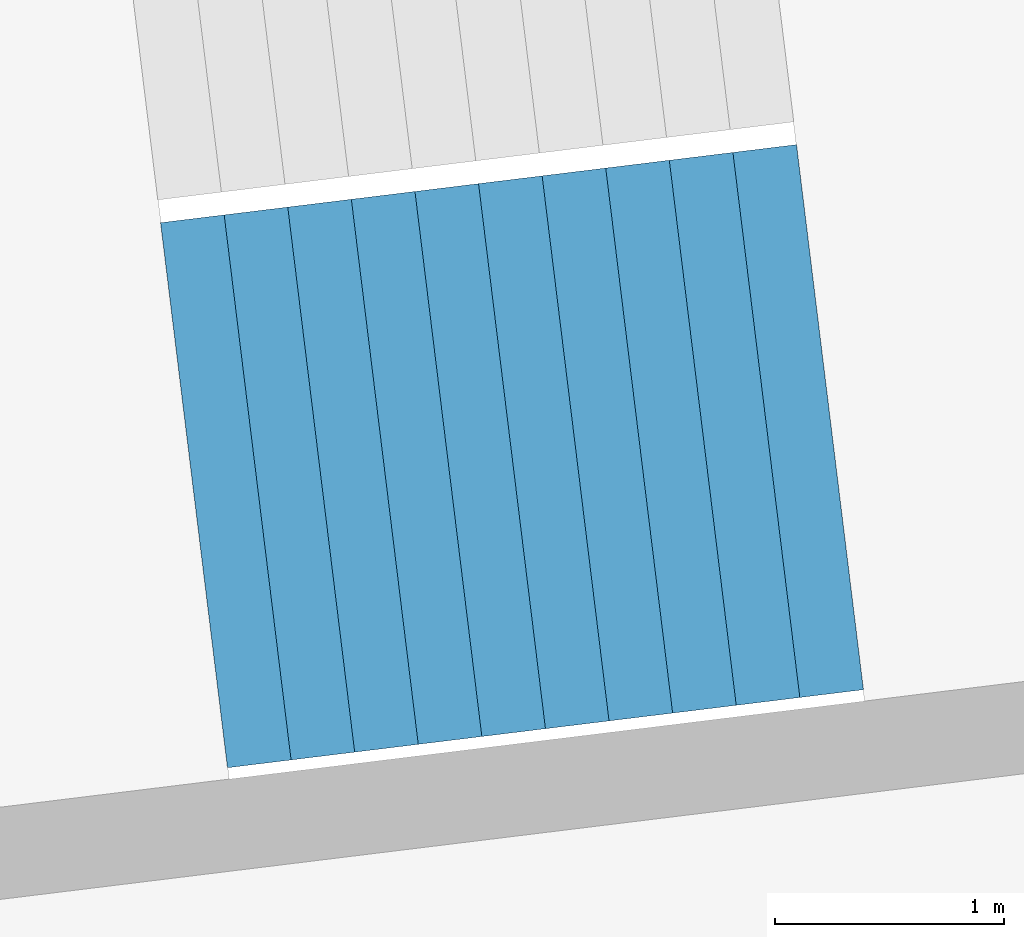
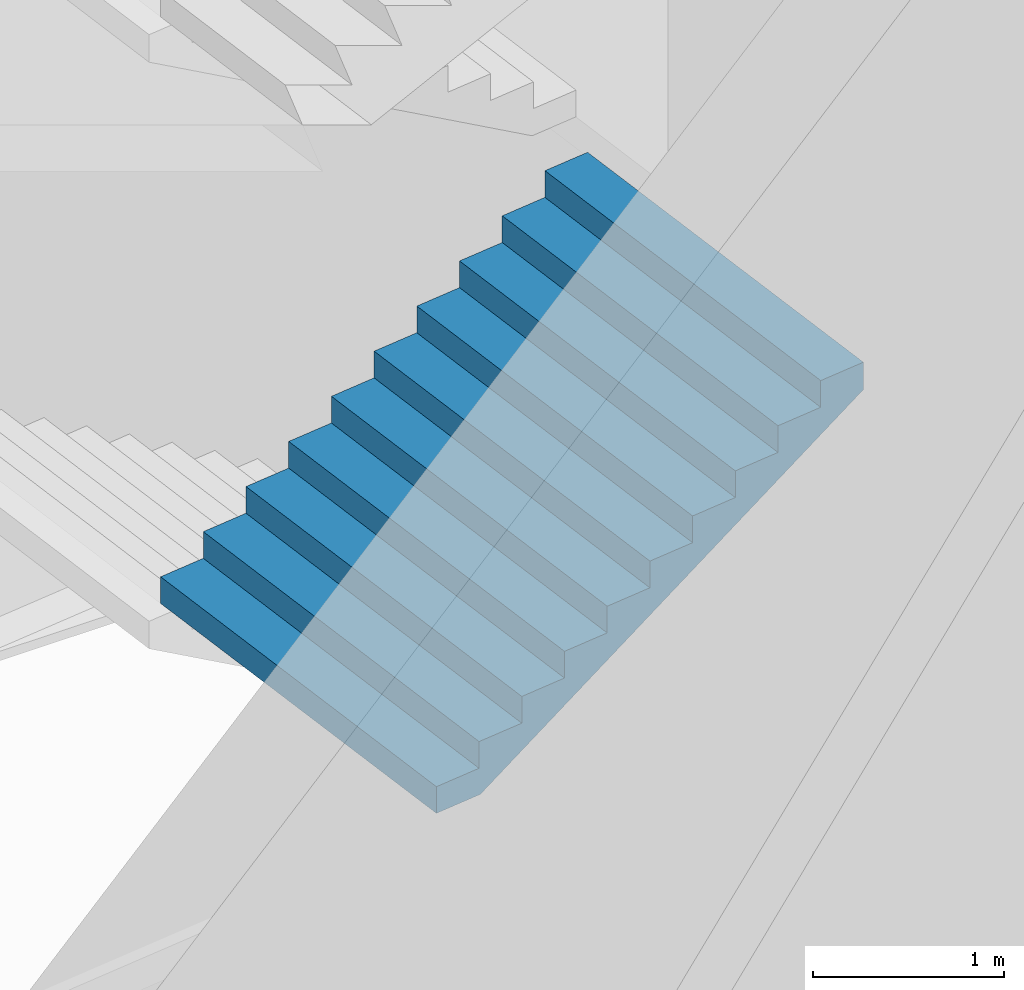
# One storey, part 22 of 73: 1 stair flight, 1 element without a shape of its own.
"""IFC4 building model written with IfcOpenShell, lengths in metres."""

import ifcopenshell
import ifcopenshell.guid

model = None  # the IFC model being written
_history = None  # IfcOwnerHistory: only IFC2X3 demands one
_inside = {}  # id of a spatial element -> (the spatial element, [elements in it])
_under = {}  # id of a project, library or spatial element -> (it, [spatial elements below it])
_declared = {}  # id of a project -> (the project, [libraries it declares])
_typed = {}  # id of a type object -> (the type object, [elements of that type])
_made_of = {}  # id of a material, layer set ... -> (it, [elements and type objects made of it])


def new_model(schema):
    """Start an empty IFC model of exactly this schema.

    Asked for "IFC4X3", IfcOpenShell would pick the latest addendum, in which some entities
    have other attributes; the version numbers below select the first issue.
    IFC2X3 requires an IfcOwnerHistory on every rooted entity: one is made here for all.
    """
    global model, _history
    if schema == "IFC4X3":
        model = ifcopenshell.file(schema_version=(4, 3, 0, 0))
    else:
        model = ifcopenshell.file(schema=schema)
    _inside.clear()
    _under.clear()
    _declared.clear()
    _typed.clear()
    _made_of.clear()
    _history = None
    if model.schema == "IFC2X3":
        org = make("IfcOrganization", Name="unknown")
        user = make(
            "IfcPersonAndOrganization",
            ThePerson=make("IfcPerson", FamilyName="unknown"),
            TheOrganization=org,
        )
        app = make(
            "IfcApplication",
            ApplicationDeveloper=org,
            Version="unknown",
            ApplicationFullName="unknown",
            ApplicationIdentifier="unknown",
        )
        _history = make(
            "IfcOwnerHistory",
            OwningUser=user,
            OwningApplication=app,
            ChangeAction="ADDED",
            CreationDate=0,
        )
    return model


def make(cls, **values):
    """One entity of the class cls with the attributes given. An attribute that is None is left unset."""
    return model.create_entity(
        cls, **{name: value for name, value in values.items() if value is not None}
    )


def rooted(cls, **values):
    """An entity with a GlobalId (a new one), such as an element, a storey or a relation."""
    return make(cls, GlobalId=ifcopenshell.guid.new(), OwnerHistory=_history, **values)


def si_unit(unit_type, name, prefix=None):
    """IfcSIUnit, for example si_unit("LENGTHUNIT", "METRE", prefix="MILLI")."""
    return make("IfcSIUnit", UnitType=unit_type, Prefix=prefix, Name=name)


def assignment(units):
    """IfcUnitAssignment: the units of a project."""
    return None if units is None else make("IfcUnitAssignment", Units=units)


def point(xyz):
    """IfcCartesianPoint."""
    return None if xyz is None else make("IfcCartesianPoint", Coordinates=xyz)


def direction(xyz):
    """IfcDirection."""
    return None if xyz is None else make("IfcDirection", DirectionRatios=xyz)


def frame(location, z_axis=None, x_axis=None):
    """IfcAxis2Placement3D, a coordinate frame: its origin and axes. An axis left out is left unset."""
    return make(
        "IfcAxis2Placement3D",
        Location=point(location),
        Axis=direction(z_axis),
        RefDirection=direction(x_axis),
    )


def origin():
    """The frame at (0, 0, 0) with its axes left unset."""
    return frame((0.0, 0.0, 0.0))


def place(relative_to, where):
    """IfcLocalPlacement: puts the frame where relative to a parent placement (None: the world)."""
    return make(
        "IfcLocalPlacement", PlacementRelTo=relative_to, RelativePlacement=where
    )


def context(
    kind, dimensions, precision=None, world=None, true_north=None, identifier=None
):
    """IfcGeometricRepresentationContext, for example the 3D "Model" context."""
    return make(
        "IfcGeometricRepresentationContext",
        ContextIdentifier=identifier,
        ContextType=kind,
        CoordinateSpaceDimension=dimensions,
        Precision=precision,
        WorldCoordinateSystem=world,
        TrueNorth=true_north,
    )


def subcontext(parent, identifier, kind, view, scale=None):
    """IfcGeometricRepresentationSubContext, for example "Body" below "Model"."""
    return make(
        "IfcGeometricRepresentationSubContext",
        ContextIdentifier=identifier,
        ContextType=kind,
        ParentContext=parent,
        TargetScale=scale,
        TargetView=view,
    )


def project(units=None, contexts=None):
    """IfcProject with its units and contexts."""
    return rooted(
        "IfcProject",
        Name="project",
        RepresentationContexts=contexts,
        UnitsInContext=assignment(units),
    )


def spatial(cls, under=None, at=None, **own):
    """A site, building, storey or space (cls), placed at a placement, below another one or the project."""
    s = rooted(cls, ObjectPlacement=at, **own)
    if under is not None:
        _under.setdefault(under.id(), (under, []))[1].append(s)
    return s


def point_list(points):
    """IfcCartesianPointList2D or 3D."""
    cls = (
        "IfcCartesianPointList2D" if len(points[0]) == 2 else "IfcCartesianPointList3D"
    )
    return make(cls, CoordList=points)


def triangles(points, corners, closed=None, point_numbers=None):
    """IfcTriangulatedFaceSet: each triangle names its three corners, points numbered from 1."""
    return make(
        "IfcTriangulatedFaceSet",
        Coordinates=point_list(points),
        Closed=closed,
        CoordIndex=corners,
        PnIndex=point_numbers,
    )


def shape(context_of_items, identifier, shape_type, items):
    """IfcShapeRepresentation: the items that make up one representation, for example the "Body"."""
    return make(
        "IfcShapeRepresentation",
        ContextOfItems=context_of_items,
        RepresentationIdentifier=identifier,
        RepresentationType=shape_type,
        Items=items,
    )


def material(Name=None, Category=None):
    """IfcMaterial."""
    return make("IfcMaterial", Name=Name, Category=Category)


def made_of(thing, what):
    """Note that an element or type object is made of a material, layer set ...; save() writes the relation."""
    if what is not None:
        _made_of.setdefault(what.id(), (what, []))[1].append(thing)
    return thing


def type_object(cls, material=None, **own):
    """A type object (cls), such as IfcWallType, which elements share."""
    return made_of(rooted(cls, **own), material)


def element(
    cls,
    number,
    at=None,
    inside=None,
    cuts=None,
    type_object=None,
    material=None,
    context=None,
    identifier="Body",
    shape_type=None,
    held_by="IfcProductDefinitionShape",
    body=None,
    shapes=None,
    **own,
):
    """One element of the class cls, such as IfcWall. Its Tag is "e" and its number.

    at: its placement. inside: the storey or other place that contains it. cuts: it is an
    opening in that element (IfcRelVoidsElement). A single representation is given by context,
    identifier, shape_type and body (its items); several are given by shapes. held_by: the class
    of the entity that holds the representations. save() writes the other relations.
    """
    e = rooted(cls, Tag="e%d" % number, ObjectPlacement=at, **own)
    if body is not None:
        shapes = [shape(context, identifier, shape_type, body)]
    if shapes is not None:
        e.Representation = make(held_by, Representations=shapes)
    if inside is not None:
        _inside.setdefault(inside.id(), (inside, []))[1].append(e)
    if cuts is not None:
        rooted(
            "IfcRelVoidsElement", RelatingBuildingElement=cuts, RelatedOpeningElement=e
        )
    if type_object is not None:
        _typed.setdefault(type_object.id(), (type_object, []))[1].append(e)
    return made_of(e, material)


def aggregate(whole, parts):
    """IfcRelAggregates: a whole, such as a stair, and the parts it consists of."""
    return rooted("IfcRelAggregates", RelatingObject=whole, RelatedObjects=parts)


def save(model, path):
    """Write the relations noted so far, then the file.

    IfcRelAggregates (storeys below a building ...), IfcRelContainedInSpatialStructure (elements
    in a storey), IfcRelDefinesByType, IfcRelAssociatesMaterial and IfcRelDeclares: one each for
    every whole, place, type object, material and project.
    """
    for whole, parts in _under.values():
        aggregate(whole, parts)
    for where, things in _inside.values():
        rooted(
            "IfcRelContainedInSpatialStructure",
            RelatedElements=things,
            RelatingStructure=where,
        )
    for kind, things in _typed.values():
        rooted("IfcRelDefinesByType", RelatedObjects=things, RelatingType=kind)
    for what, things in _made_of.values():
        rooted("IfcRelAssociatesMaterial", RelatedObjects=things, RelatingMaterial=what)
    for by, libraries in _declared.values():
        rooted("IfcRelDeclares", RelatingContext=by, RelatedDefinitions=libraries)
    model.write(path)


model = new_model("IFC4")

# Units and contexts
model_context = context("Model", 3, precision=1e-05, world=origin(), true_north=direction((0.0, 1.0)))
body_context = subcontext(model_context, "Body", "Model", "MODEL_VIEW")
ifc_project = project(units=[si_unit("LENGTHUNIT", "METRE"), si_unit("AREAUNIT", "SQUARE_METRE"), si_unit("VOLUMEUNIT", "CUBIC_METRE"), si_unit("PLANEANGLEUNIT", "RADIAN"), si_unit("MASSUNIT", "GRAM", prefix="KILO")], contexts=[model_context])

# Site, building, storey
site_placement = place(None, origin())
site = spatial("IfcSite", under=ifc_project, at=site_placement, CompositionType="ELEMENT")
building_placement = place(site_placement, origin())
building = spatial("IfcBuilding", under=site, at=building_placement, Name="Lantaw Convention Tower", CompositionType="ELEMENT")
storey_placement = place(building_placement, frame((0.0, 0.0, 14.5)))
storey = spatial("IfcBuildingStorey", under=building, at=storey_placement, Name="L02", CompositionType="ELEMENT", Elevation=14.5)

# Stair, stair flight
ifc_material = material(Name="Concrete C35/45", Category="concrete")
stair_type = type_object("IfcStairType", Name="Exit stair 2400 riser 170.45 in 4 flights", PredefinedType="HALF_TURN_STAIR", material=ifc_material)
stair_placement = place(storey_placement, origin())
stair = element("IfcStair", 1, at=stair_placement, inside=storey, type_object=stair_type, Name="Podium exit stair P10 L02", PredefinedType="HALF_TURN_STAIR")
stair_flight_type = type_object("IfcStairFlightType", Name="Stair flight 2400 riser 170.45", PredefinedType="STRAIGHT", material=ifc_material)
stair_flight_placement = place(storey_placement, frame((-37.63671875, -5.880615234375, 1.875), z_axis=(0.0, 0.0, 1.0), x_axis=(0.992546151641, 0.121869343405, 0.0)))
stair_flight = element("IfcStairFlight", 2, at=stair_flight_placement, type_object=stair_flight_type, Name="P10 flight 2", NumberOfRisers=11, NumberOfTreads=10, PredefinedType="STRAIGHT", RiserHeight=0.170454545, TreadLength=0.28, context=body_context, shape_type="Tessellation", body=[
    triangles([(0.0, 1.199951171875, 0.0), (0.0, 1.199951171875, 0.170454545), (0.28, 1.199951171875, 0.0), (0.28, 1.199951171875, 0.170454545), (0.28, 1.199951171875, 0.34090909), (0.28827876332691904, 1.199951171875, 0.0), (0.28827876332691904, 1.199951171875, 0.34090909), (0.56, 1.199951171875, 0.16541471344266906), (0.56, 1.199951171875, 0.34090909), (0.56, 1.199951171875, 0.511363635), (0.8400000000000001, 1.199951171875, 0.335869258442669), (0.8400000000000001, 1.199951171875, 0.511363635), (0.8400000000000001, 1.199951171875, 0.68181818), (1.12, 1.199951171875, 0.506323803442669), (1.12, 1.199951171875, 0.68181818), (1.12, 1.199951171875, 0.8522727250000001), (1.4000000000000001, 1.199951171875, 0.676778348442669), (1.4000000000000001, 1.199951171875, 0.8522727250000001), (1.4000000000000001, 1.199951171875, 1.02272727), (1.6800000000000002, 1.199951171875, 0.847232893442669), (1.6800000000000002, 1.199951171875, 1.02272727), (1.6800000000000002, 1.199951171875, 1.193181815), (1.9600000000000002, 1.199951171875, 1.017687438442669), (1.9600000000000002, 1.199951171875, 1.193181815), (1.9600000000000002, 1.199951171875, 1.36363636), (2.24, 1.199951171875, 1.188141983442669), (2.24, 1.199951171875, 1.36363636), (2.24, 1.199951171875, 1.5340909050000002), (2.5200000000000005, 1.199951171875, 1.358596528442669), (2.5200000000000005, 1.199951171875, 1.5340909050000002), (2.5200000000000005, 1.199951171875, 1.7045454500000001), (2.8000000000000003, 1.199951171875, 1.529051073442669), (2.8000000000000003, 1.199951171875, 1.7045454500000001), (0.0, -1.199951171875, 0.0), (0.0, -1.199951171875, 0.170454545), (0.28, -1.199951171875, 0.0), (0.28, -1.199951171875, 0.170454545), (0.28, -1.199951171875, 0.34090909), (0.28827876332691904, -1.199951171875, 0.0), (0.28827876332691904, -1.199951171875, 0.34090909), (0.56, -1.199951171875, 0.16541471344266906), (0.56, -1.199951171875, 0.34090909), (0.56, -1.199951171875, 0.511363635), (0.8400000000000001, -1.199951171875, 0.335869258442669), (0.8400000000000001, -1.199951171875, 0.511363635), (0.8400000000000001, -1.199951171875, 0.68181818), (1.12, -1.199951171875, 0.506323803442669), (1.12, -1.199951171875, 0.68181818), (1.12, -1.199951171875, 0.8522727250000001), (1.4000000000000001, -1.199951171875, 0.676778348442669), (1.4000000000000001, -1.199951171875, 0.8522727250000001), (1.4000000000000001, -1.199951171875, 1.02272727), (1.6800000000000002, -1.199951171875, 0.847232893442669), (1.6800000000000002, -1.199951171875, 1.02272727), (1.6800000000000002, -1.199951171875, 1.193181815), (1.9600000000000002, -1.199951171875, 1.017687438442669), (1.9600000000000002, -1.199951171875, 1.193181815), (1.9600000000000002, -1.199951171875, 1.36363636), (2.24, -1.199951171875, 1.188141983442669), (2.24, -1.199951171875, 1.36363636), (2.24, -1.199951171875, 1.5340909050000002), (2.5200000000000005, -1.199951171875, 1.358596528442669), (2.5200000000000005, -1.199951171875, 1.5340909050000002), (2.5200000000000005, -1.199951171875, 1.7045454500000001), (2.8000000000000003, -1.199951171875, 1.529051073442669), (2.8000000000000003, -1.199951171875, 1.7045454500000001), (0.0, 0.239990234375, 0.170454545), (0.0, 0.239990234375, 0.0), (0.0, 0.1199951171875, 0.170454545), (0.0, 0.1199951171875, 0.0), (0.0, 0.0, 0.170454545), (0.0, 0.0, 0.0), (0.0, -0.1199951171875, 0.170454545), (0.0, -0.1199951171875, 0.0), (0.0, -0.239990234375, 0.170454545), (0.0, -0.239990234375, 0.0), (0.28, 0.239990234375, 0.34090909), (0.28, 0.239990234375, 0.170454545), (0.28, 0.1199951171875, 0.34090909), (0.28, 0.1199951171875, 0.170454545), (0.28, 0.0, 0.34090909), (0.28, 0.0, 0.170454545), (0.28, -0.1199951171875, 0.34090909), (0.28, -0.1199951171875, 0.170454545), (0.28, -0.239990234375, 0.34090909), (0.28, -0.239990234375, 0.170454545), (0.56, 0.239990234375, 0.511363635), (0.56, 0.239990234375, 0.34090909), (0.56, 0.1199951171875, 0.511363635), (0.56, 0.1199951171875, 0.34090909), (0.56, 0.0, 0.511363635), (0.56, 0.0, 0.34090909), (0.56, -0.1199951171875, 0.511363635), (0.56, -0.1199951171875, 0.34090909), (0.56, -0.239990234375, 0.511363635), (0.56, -0.239990234375, 0.34090909), (0.8400000000000001, 0.239990234375, 0.68181818), (0.8400000000000001, 0.239990234375, 0.511363635), (0.8400000000000001, 0.1199951171875, 0.68181818), (0.8400000000000001, 0.1199951171875, 0.511363635), (0.8400000000000001, 0.0, 0.68181818), (0.8400000000000001, 0.0, 0.511363635), (0.8400000000000001, -0.1199951171875, 0.68181818), (0.8400000000000001, -0.1199951171875, 0.511363635), (0.8400000000000001, -0.239990234375, 0.68181818), (0.8400000000000001, -0.239990234375, 0.511363635), (1.12, 0.239990234375, 0.8522727250000001), (1.12, 0.239990234375, 0.68181818), (1.12, 0.1199951171875, 0.8522727250000001), (1.12, 0.1199951171875, 0.68181818), (1.12, 0.0, 0.8522727250000001), (1.12, 0.0, 0.68181818), (1.12, -0.1199951171875, 0.8522727250000001), (1.12, -0.1199951171875, 0.68181818), (1.12, -0.239990234375, 0.8522727250000001), (1.12, -0.239990234375, 0.68181818), (1.4000000000000001, 0.239990234375, 1.02272727), (1.4000000000000001, 0.239990234375, 0.8522727250000001), (1.4000000000000001, 0.1199951171875, 1.02272727), (1.4000000000000001, 0.1199951171875, 0.8522727250000001), (1.4000000000000001, 0.0, 1.02272727), (1.4000000000000001, 0.0, 0.8522727250000001), (1.4000000000000001, -0.1199951171875, 1.02272727), (1.4000000000000001, -0.1199951171875, 0.8522727250000001), (1.4000000000000001, -0.239990234375, 1.02272727), (1.4000000000000001, -0.239990234375, 0.8522727250000001), (1.6800000000000002, 0.239990234375, 1.193181815), (1.6800000000000002, 0.239990234375, 1.02272727), (1.6800000000000002, 0.1199951171875, 1.193181815), (1.6800000000000002, 0.1199951171875, 1.02272727), (1.6800000000000002, 0.0, 1.193181815), (1.6800000000000002, 0.0, 1.02272727), (1.6800000000000002, -0.1199951171875, 1.193181815), (1.6800000000000002, -0.1199951171875, 1.02272727), (1.6800000000000002, -0.239990234375, 1.193181815), (1.6800000000000002, -0.239990234375, 1.02272727), (1.9600000000000002, 0.239990234375, 1.36363636), (1.9600000000000002, 0.239990234375, 1.193181815), (1.9600000000000002, 0.1199951171875, 1.36363636), (1.9600000000000002, 0.1199951171875, 1.193181815), (1.9600000000000002, 0.0, 1.36363636), (1.9600000000000002, 0.0, 1.193181815), (1.9600000000000002, -0.1199951171875, 1.36363636), (1.9600000000000002, -0.1199951171875, 1.193181815), (1.9600000000000002, -0.239990234375, 1.36363636), (1.9600000000000002, -0.239990234375, 1.193181815), (2.24, 0.239990234375, 1.5340909050000002), (2.24, 0.239990234375, 1.36363636), (2.24, 0.1199951171875, 1.5340909050000002), (2.24, 0.1199951171875, 1.36363636), (2.24, 0.0, 1.5340909050000002), (2.24, 0.0, 1.36363636), (2.24, -0.1199951171875, 1.5340909050000002), (2.24, -0.1199951171875, 1.36363636), (2.24, -0.239990234375, 1.5340909050000002), (2.24, -0.239990234375, 1.36363636), (2.5200000000000005, 0.239990234375, 1.7045454500000001), (2.5200000000000005, 0.239990234375, 1.5340909050000002), (2.5200000000000005, 0.1199951171875, 1.7045454500000001), (2.5200000000000005, 0.1199951171875, 1.5340909050000002), (2.5200000000000005, 0.0, 1.7045454500000001), (2.5200000000000005, 0.0, 1.5340909050000002), (2.5200000000000005, -0.1199951171875, 1.7045454500000001), (2.5200000000000005, -0.1199951171875, 1.5340909050000002), (2.5200000000000005, -0.239990234375, 1.7045454500000001), (2.5200000000000005, -0.239990234375, 1.5340909050000002), (0.28827876332691904, 0.239990234375, 0.34090909), (0.28827876332691904, 0.1199951171875, 0.34090909), (0.28827876332691904, 0.0, 0.34090909), (0.28827876332691904, -0.1199951171875, 0.34090909), (0.28827876332691904, -0.239990234375, 0.34090909), (2.8000000000000003, 0.239990234375, 1.7045454500000001), (2.8000000000000003, 0.1199951171875, 1.7045454500000001), (2.8000000000000003, 0.0, 1.7045454500000001), (2.8000000000000003, -0.1199951171875, 1.7045454500000001), (2.8000000000000003, -0.239990234375, 1.7045454500000001), (2.8000000000000003, 0.239990234375, 1.5290510734426692), (2.8000000000000003, 0.1199951171875, 1.5290510734426692), (2.8000000000000003, 0.0, 1.5290510734426692), (2.8000000000000003, -0.1199951171875, 1.5290510734426692), (2.8000000000000003, -0.239990234375, 1.5290510734426692), (2.5200000000000005, 0.239990234375, 1.358596528442669), (2.5200000000000005, 0.1199951171875, 1.358596528442669), (2.5200000000000005, 0.0, 1.358596528442669), (2.5200000000000005, -0.1199951171875, 1.358596528442669), (2.5200000000000005, -0.239990234375, 1.358596528442669), (2.24, 0.239990234375, 1.188141983442669), (2.24, 0.1199951171875, 1.188141983442669), (2.24, 0.0, 1.188141983442669), (2.24, -0.1199951171875, 1.188141983442669), (2.24, -0.239990234375, 1.188141983442669), (1.9600000000000002, 0.239990234375, 1.017687438442669), (1.9600000000000002, 0.1199951171875, 1.017687438442669), (1.9600000000000002, 0.0, 1.017687438442669), (1.9600000000000002, -0.1199951171875, 1.017687438442669), (1.9600000000000002, -0.239990234375, 1.017687438442669), (1.6800000000000002, 0.239990234375, 0.847232893442669), (1.6800000000000002, 0.1199951171875, 0.847232893442669), (1.6800000000000002, 0.0, 0.847232893442669), (1.6800000000000002, -0.1199951171875, 0.847232893442669), (1.6800000000000002, -0.239990234375, 0.847232893442669), (1.4000000000000001, 0.239990234375, 0.676778348442669), (1.4000000000000001, 0.1199951171875, 0.676778348442669), (1.4000000000000001, 0.0, 0.676778348442669), (1.4000000000000001, -0.1199951171875, 0.676778348442669), (1.4000000000000001, -0.239990234375, 0.676778348442669), (1.12, 0.239990234375, 0.506323803442669), (1.12, 0.1199951171875, 0.506323803442669), (1.12, 0.0, 0.506323803442669), (1.12, -0.1199951171875, 0.506323803442669), (1.12, -0.239990234375, 0.506323803442669), (0.8400000000000001, 0.239990234375, 0.335869258442669), (0.8400000000000001, 0.1199951171875, 0.335869258442669), (0.8400000000000001, 0.0, 0.335869258442669), (0.8400000000000001, -0.1199951171875, 0.335869258442669), (0.8400000000000001, -0.239990234375, 0.335869258442669), (0.56, 0.239990234375, 0.16541471344266906), (0.56, 0.1199951171875, 0.16541471344266906), (0.56, 0.0, 0.16541471344266906), (0.56, -0.1199951171875, 0.16541471344266906), (0.56, -0.239990234375, 0.16541471344266906), (0.28827876332691904, 0.239990234375, 0.0), (0.28827876332691904, 0.1199951171875, 0.0), (0.28827876332691904, 0.0, 0.0), (0.28827876332691904, -0.1199951171875, 0.0), (0.28827876332691904, -0.239990234375, 0.0), (0.28, 0.239990234375, 0.0), (0.28, 0.1199951171875, 0.0), (0.28, 0.0, 0.0), (0.28, -0.1199951171875, 0.0), (0.28, -0.239990234375, 0.0)], [[1, 4, 3], [1, 2, 4], [3, 4, 6], [4, 7, 6], [4, 5, 7], [6, 9, 8], [6, 7, 9], [8, 9, 11], [9, 12, 11], [9, 10, 12], [11, 12, 14], [12, 15, 14], [12, 13, 15], [14, 15, 17], [15, 18, 17], [15, 16, 18], [17, 18, 20], [18, 21, 20], [18, 19, 21], [20, 21, 23], [21, 24, 23], [21, 22, 24], [23, 24, 26], [24, 27, 26], [24, 25, 27], [26, 27, 29], [27, 30, 29], [27, 28, 30], [29, 30, 32], [30, 33, 32], [30, 31, 33], [34, 36, 37], [34, 37, 35], [36, 39, 37], [37, 39, 40], [37, 40, 38], [39, 41, 42], [39, 42, 40], [41, 44, 42], [42, 44, 45], [42, 45, 43], [44, 47, 45], [45, 47, 48], [45, 48, 46], [47, 50, 48], [48, 50, 51], [48, 51, 49], [50, 53, 51], [51, 53, 54], [51, 54, 52], [53, 56, 54], [54, 56, 57], [54, 57, 55], [56, 59, 57], [57, 59, 60], [57, 60, 58], [59, 62, 60], [60, 62, 63], [60, 63, 61], [62, 65, 63], [63, 65, 66], [63, 66, 64], [1, 67, 2], [1, 68, 67], [68, 69, 67], [68, 70, 69], [70, 71, 69], [70, 72, 71], [72, 73, 71], [72, 74, 73], [74, 75, 73], [74, 76, 75], [76, 35, 75], [76, 34, 35], [4, 77, 5], [4, 78, 77], [78, 79, 77], [78, 80, 79], [80, 81, 79], [80, 82, 81], [82, 83, 81], [82, 84, 83], [84, 85, 83], [84, 86, 85], [86, 38, 85], [86, 37, 38], [9, 87, 10], [9, 88, 87], [88, 89, 87], [88, 90, 89], [90, 91, 89], [90, 92, 91], [92, 93, 91], [92, 94, 93], [94, 95, 93], [94, 96, 95], [96, 43, 95], [96, 42, 43], [12, 97, 13], [12, 98, 97], [98, 99, 97], [98, 100, 99], [100, 101, 99], [100, 102, 101], [102, 103, 101], [102, 104, 103], [104, 105, 103], [104, 106, 105], [106, 46, 105], [106, 45, 46], [15, 107, 16], [15, 108, 107], [108, 109, 107], [108, 110, 109], [110, 111, 109], [110, 112, 111], [112, 113, 111], [112, 114, 113], [114, 115, 113], [114, 116, 115], [116, 49, 115], [116, 48, 49], [18, 117, 19], [18, 118, 117], [118, 119, 117], [118, 120, 119], [120, 121, 119], [120, 122, 121], [122, 123, 121], [122, 124, 123], [124, 125, 123], [124, 126, 125], [126, 52, 125], [126, 51, 52], [21, 127, 22], [21, 128, 127], [128, 129, 127], [128, 130, 129], [130, 131, 129], [130, 132, 131], [132, 133, 131], [132, 134, 133], [134, 135, 133], [134, 136, 135], [136, 55, 135], [136, 54, 55], [24, 137, 25], [24, 138, 137], [138, 139, 137], [138, 140, 139], [140, 141, 139], [140, 142, 141], [142, 143, 141], [142, 144, 143], [144, 145, 143], [144, 146, 145], [146, 58, 145], [146, 57, 58], [27, 147, 28], [27, 148, 147], [148, 149, 147], [148, 150, 149], [150, 151, 149], [150, 152, 151], [152, 153, 151], [152, 154, 153], [154, 155, 153], [154, 156, 155], [156, 61, 155], [156, 60, 61], [30, 157, 31], [30, 158, 157], [158, 159, 157], [158, 160, 159], [160, 161, 159], [160, 162, 161], [162, 163, 161], [162, 164, 163], [164, 165, 163], [164, 166, 165], [166, 64, 165], [166, 63, 64], [2, 78, 4], [2, 67, 78], [67, 80, 78], [67, 69, 80], [69, 82, 80], [69, 71, 82], [71, 84, 82], [71, 73, 84], [73, 86, 84], [73, 75, 86], [75, 37, 86], [75, 35, 37], [5, 167, 7], [5, 77, 167], [77, 168, 167], [77, 79, 168], [79, 169, 168], [79, 81, 169], [81, 170, 169], [81, 83, 170], [83, 171, 170], [83, 85, 171], [85, 40, 171], [85, 38, 40], [7, 88, 9], [7, 167, 88], [167, 90, 88], [167, 168, 90], [168, 92, 90], [168, 169, 92], [169, 94, 92], [169, 170, 94], [170, 96, 94], [170, 171, 96], [171, 42, 96], [171, 40, 42], [10, 98, 12], [10, 87, 98], [87, 100, 98], [87, 89, 100], [89, 102, 100], [89, 91, 102], [91, 104, 102], [91, 93, 104], [93, 106, 104], [93, 95, 106], [95, 45, 106], [95, 43, 45], [13, 108, 15], [13, 97, 108], [97, 110, 108], [97, 99, 110], [99, 112, 110], [99, 101, 112], [101, 114, 112], [101, 103, 114], [103, 116, 114], [103, 105, 116], [105, 48, 116], [105, 46, 48], [16, 118, 18], [16, 107, 118], [107, 120, 118], [107, 109, 120], [109, 122, 120], [109, 111, 122], [111, 124, 122], [111, 113, 124], [113, 126, 124], [113, 115, 126], [115, 51, 126], [115, 49, 51], [19, 128, 21], [19, 117, 128], [117, 130, 128], [117, 119, 130], [119, 132, 130], [119, 121, 132], [121, 134, 132], [121, 123, 134], [123, 136, 134], [123, 125, 136], [125, 54, 136], [125, 52, 54], [22, 138, 24], [22, 127, 138], [127, 140, 138], [127, 129, 140], [129, 142, 140], [129, 131, 142], [131, 144, 142], [131, 133, 144], [133, 146, 144], [133, 135, 146], [135, 57, 146], [135, 55, 57], [25, 148, 27], [25, 137, 148], [137, 150, 148], [137, 139, 150], [139, 152, 150], [139, 141, 152], [141, 154, 152], [141, 143, 154], [143, 156, 154], [143, 145, 156], [145, 60, 156], [145, 58, 60], [28, 158, 30], [28, 147, 158], [147, 160, 158], [147, 149, 160], [149, 162, 160], [149, 151, 162], [151, 164, 162], [151, 153, 164], [153, 166, 164], [153, 155, 166], [155, 63, 166], [155, 61, 63], [31, 172, 33], [31, 157, 172], [157, 173, 172], [157, 159, 173], [159, 174, 173], [159, 161, 174], [161, 175, 174], [161, 163, 175], [163, 176, 175], [163, 165, 176], [165, 66, 176], [165, 64, 66], [33, 177, 32], [33, 172, 177], [172, 178, 177], [172, 173, 178], [173, 179, 178], [173, 174, 179], [174, 180, 179], [174, 175, 180], [175, 181, 180], [175, 176, 181], [176, 65, 181], [176, 66, 65], [32, 182, 29], [32, 177, 182], [177, 183, 182], [177, 178, 183], [178, 184, 183], [178, 179, 184], [179, 185, 184], [179, 180, 185], [180, 186, 185], [180, 181, 186], [181, 62, 186], [181, 65, 62], [29, 187, 26], [29, 182, 187], [182, 188, 187], [182, 183, 188], [183, 189, 188], [183, 184, 189], [184, 190, 189], [184, 185, 190], [185, 191, 190], [185, 186, 191], [186, 59, 191], [186, 62, 59], [26, 192, 23], [26, 187, 192], [187, 193, 192], [187, 188, 193], [188, 194, 193], [188, 189, 194], [189, 195, 194], [189, 190, 195], [190, 196, 195], [190, 191, 196], [191, 56, 196], [191, 59, 56], [23, 197, 20], [23, 192, 197], [192, 198, 197], [192, 193, 198], [193, 199, 198], [193, 194, 199], [194, 200, 199], [194, 195, 200], [195, 201, 200], [195, 196, 201], [196, 53, 201], [196, 56, 53], [20, 202, 17], [20, 197, 202], [197, 203, 202], [197, 198, 203], [198, 204, 203], [198, 199, 204], [199, 205, 204], [199, 200, 205], [200, 206, 205], [200, 201, 206], [201, 50, 206], [201, 53, 50], [17, 207, 14], [17, 202, 207], [202, 208, 207], [202, 203, 208], [203, 209, 208], [203, 204, 209], [204, 210, 209], [204, 205, 210], [205, 211, 210], [205, 206, 211], [206, 47, 211], [206, 50, 47], [14, 212, 11], [14, 207, 212], [207, 213, 212], [207, 208, 213], [208, 214, 213], [208, 209, 214], [209, 215, 214], [209, 210, 215], [210, 216, 215], [210, 211, 216], [211, 44, 216], [211, 47, 44], [11, 217, 8], [11, 212, 217], [212, 218, 217], [212, 213, 218], [213, 219, 218], [213, 214, 219], [214, 220, 219], [214, 215, 220], [215, 221, 220], [215, 216, 221], [216, 41, 221], [216, 44, 41], [8, 222, 6], [8, 217, 222], [217, 223, 222], [217, 218, 223], [218, 224, 223], [218, 219, 224], [219, 225, 224], [219, 220, 225], [220, 226, 225], [220, 221, 226], [221, 39, 226], [221, 41, 39], [6, 227, 3], [6, 222, 227], [222, 228, 227], [222, 223, 228], [223, 229, 228], [223, 224, 229], [224, 230, 229], [224, 225, 230], [225, 231, 230], [225, 226, 231], [226, 36, 231], [226, 39, 36], [3, 68, 1], [3, 227, 68], [227, 70, 68], [227, 228, 70], [228, 72, 70], [228, 229, 72], [229, 74, 72], [229, 230, 74], [230, 76, 74], [230, 231, 76], [231, 34, 76], [231, 36, 34]], closed=True),
])
aggregate(stair, [stair_flight])

save(model, "model.ifc")
